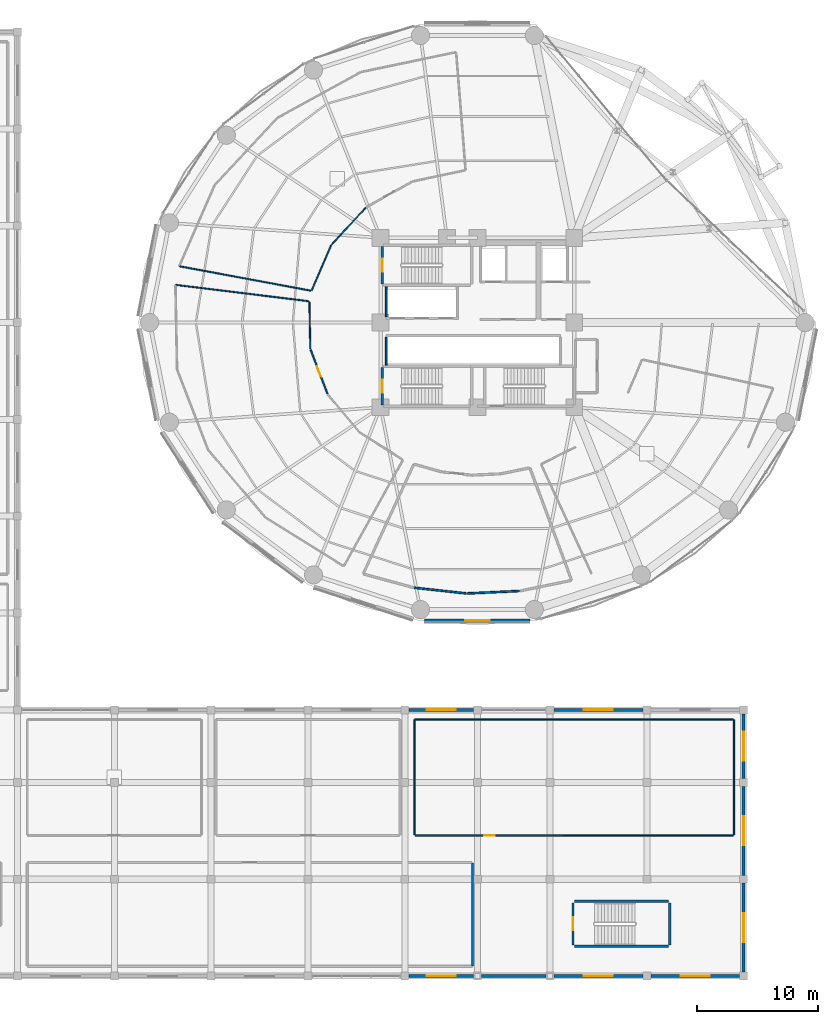
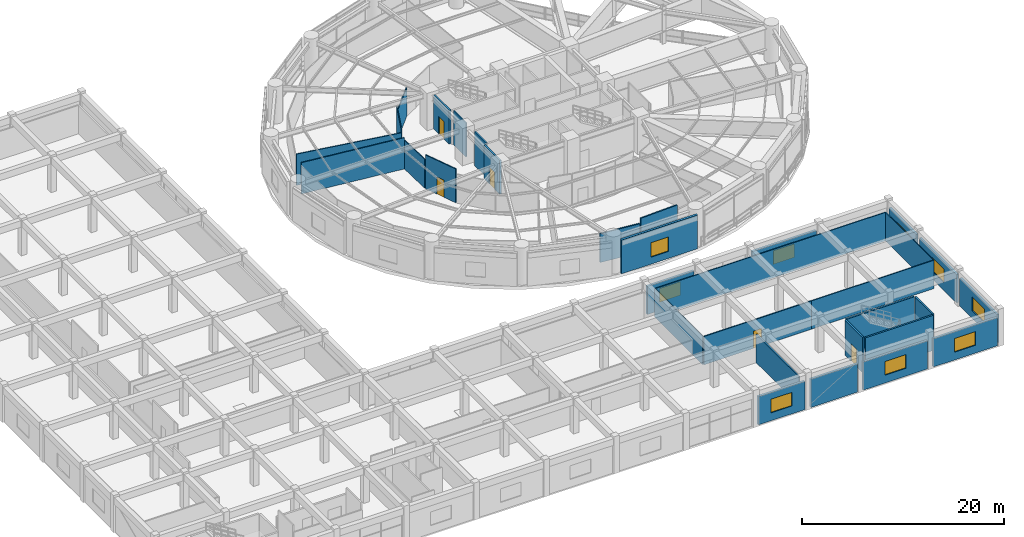
# One storey, part 41 of 52: 32 walls, 9 windows, 5 doors, 14 openings.
"""IFC4 building model written with IfcOpenShell, lengths in metres."""

from ifc_helpers import new_model, si_unit, direction, frame, frame_2d, origin, place, context, subcontext, project, spatial, rectangle, extrude, material, layer, layer_set, type_object, element, fill, save


model = new_model("IFC4")

# Units and contexts
model_context = context("Model", 3, precision=1e-05, world=origin(), true_north=direction((0.0, 1.0)))
body_context = subcontext(model_context, "Body", "Model", "MODEL_VIEW")
ifc_project = project(units=[si_unit("LENGTHUNIT", "METRE"), si_unit("AREAUNIT", "SQUARE_METRE"), si_unit("VOLUMEUNIT", "CUBIC_METRE"), si_unit("PLANEANGLEUNIT", "RADIAN"), si_unit("MASSUNIT", "GRAM", prefix="KILO")], contexts=[model_context])

# Site, building, storey
site_placement = place(None, origin())
site = spatial("IfcSite", under=ifc_project, at=site_placement, CompositionType="ELEMENT")
building_placement = place(site_placement, origin())
building = spatial("IfcBuilding", under=site, at=building_placement, Name="Kelanora Arch Commons", CompositionType="ELEMENT")
storey_placement = place(building_placement, frame((0.0, 0.0, 13.5)))
storey = spatial("IfcBuildingStorey", under=building, at=storey_placement, Name="L03", CompositionType="ELEMENT", Elevation=13.5)

# Walls
ifc_material_1 = material(Name="Autoclaved aerated concrete blockwork with fire plaster", Category="masonry")
ifc_layer_1 = layer(ifc_material_1, 0.14990234375)
ifc_layer_set_1 = layer_set([ifc_layer_1], Name="Autoclaved aerated concrete blockwork with fire plaster")
wall_type_1 = type_object("IfcWallType", Name="W-COMP-150", PredefinedType="PARTITIONING", material=ifc_layer_set_1)
wall_1_placement = place(storey_placement, frame((66.4599609375, 58.47998046875, 0.0), z_axis=(0.0, 0.0, 1.0), x_axis=(0.0, 1.0, 0.0)))
element("IfcWall", 1, at=wall_1_placement, inside=storey, type_object=wall_type_1, Name="Low-Rise Lift Bank West Wall L03", PredefinedType="PARTITIONING", context=body_context, shape_type="SweptSolid", body=[
    extrude(rectangle(XDim=2.4599609375, YDim=0.14990234375, at=frame_2d((1.22998046875, 0.0))), origin(), (0.0, 0.0, 1.0), 4.090087890625),
])
wall_2_placement = place(storey_placement, frame((66.4599609375, 54.47998046875, 0.0), z_axis=(0.0, 0.0, 1.0), x_axis=(0.0, 1.0, 0.0)))
element("IfcWall", 2, at=wall_2_placement, inside=storey, type_object=wall_type_1, Name="South Lift Bank West Wall L03", PredefinedType="PARTITIONING", context=body_context, shape_type="SweptSolid", body=[
    extrude(rectangle(XDim=2.2900390625, YDim=0.14990234375, at=frame_2d((1.14501953125, 0.0))), origin(), (0.0, 0.0, 1.0), 4.090087890625),
])
wall_3_placement = place(storey_placement, frame((73.60009765625, 4.840087890625, 0.0), z_axis=(0.0, 0.0, 1.0), x_axis=(0.0, 1.0, 0.0)))
element("IfcWall", 3, at=wall_3_placement, inside=storey, type_object=wall_type_1, Name="Market South Catering Cold Room and Store L03 Enclosure Partition 2", PredefinedType="PARTITIONING", context=body_context, shape_type="SweptSolid", body=[
    extrude(rectangle(XDim=8.5, YDim=0.14990234375, at=frame_2d((4.25, 0.0))), origin(), (0.0, 0.0, 1.0), 3.425048828125),
])
wall_4_placement = place(storey_placement, frame((77.467041015625, 35.816162109375, 0.0), z_axis=(0.0, 0.0, 1.0), x_axis=(-0.998921063896, -0.046440371493, 0.0)))
element("IfcWall", 4, at=wall_4_placement, inside=storey, type_object=wall_type_1, Name="Podium Catering Cold Store and Linen Room L03 Enclosure Partition 7", PredefinedType="PARTITIONING", context=body_context, shape_type="SweptSolid", body=[
    extrude(rectangle(XDim=4.310791015625, YDim=0.14990234375, at=frame_2d((2.1552734375, 0.0))), origin(), (0.0, 0.0, 1.0), 4.090087890625),
])
wall_5_placement = place(storey_placement, frame((73.081298828125, 35.618408203125, 0.0), z_axis=(0.0, 0.0, 1.0), x_axis=(-0.994118613874, 0.108296729168, 0.0)))
element("IfcWall", 5, at=wall_5_placement, inside=storey, type_object=wall_type_1, Name="Podium Catering Cold Store and Linen Room L03 Enclosure Partition 8", PredefinedType="PARTITIONING", context=body_context, shape_type="SweptSolid", body=[
    extrude(rectangle(XDim=4.305908203125, YDim=0.14990234375, at=frame_2d((2.15283203125, 0.0))), origin(), (0.0, 0.0, 1.0), 3.485107421875),
])

# Wall, opening, window
ifc_material_2 = material(Name="Precast concrete C40/50 with terracotta ceramic cladding", Category="masonry")
ifc_layer_2 = layer(ifc_material_2, 0.25)
ifc_layer_set_2 = layer_set([ifc_layer_2], Name="Precast concrete C40/50 with terracotta ceramic cladding")
wall_type_2 = type_object("IfcWallType", Name="W-EXT-MKT", PredefinedType="SOLIDWALL", material=ifc_layer_set_2)
wall_6_placement = place(storey_placement, frame((68.330078125, 4.0, 0.0), z_axis=(0.0, 0.0, 1.0), x_axis=(1.0, 0.0, 0.0)))
wall_6 = element("IfcWall", 6, at=wall_6_placement, inside=storey, type_object=wall_type_2, Name="Market Hall Exterior Wall L03-08", PredefinedType="SOLIDWALL", context=body_context, shape_type="SweptSolid", body=[
    extrude(rectangle(XDim=5.33984375, YDim=0.25, at=frame_2d((2.669921875, 0.0))), origin(), (0.0, 0.0, 1.0), 3.419921875),
])
opening_1_placement = place(wall_6_placement, frame((1.469970703125, 0.0, 0.949951171875)))
opening_1 = element("IfcOpeningElement", 7, at=opening_1_placement, cuts=wall_6, Name="Opening WN-03", PredefinedType="OPENING", context=body_context, shape_type="SweptSolid", body=[
    extrude(rectangle(XDim=2.39990234375, YDim=1.64990234375, at=frame_2d((1.199951171875, 0.824951171875))), frame((0.0, 0.135009765625, 0.0), z_axis=(0.0, -1.0, 0.0), x_axis=(1.0, 0.0, 0.0)), (0.0, 0.0, 1.0), 0.27001953125),
])
ifc_material_3 = material(Name="Bronze-terracotta aluminium monsoon clerestory window", Category="masonry")
window_type_1 = type_object("IfcWindowType", Name="WIN-MKT-24", PartitioningType="TRIPLE_PANEL_VERTICAL", PredefinedType="WINDOW", material=ifc_material_3)
window_1_placement = place(opening_1_placement, origin())
window_1 = element("IfcWindow", 8, at=window_1_placement, inside=storey, type_object=window_type_1, Name="Market Hall Clerestory Window L03-08", OverallHeight=1.64990234375, OverallWidth=2.39990234375, PartitioningType="SINGLE_PANEL", PredefinedType="WINDOW", context=body_context, shape_type="SweptSolid", body=[
    extrude(rectangle(XDim=2.39990234375, YDim=1.64990234375, at=frame_2d((1.199951171875, 0.824951171875))), frame((0.0, 0.030029296875, 0.0), z_axis=(0.0, -1.0, 0.0), x_axis=(1.0, 0.0, 0.0)), (0.0, 0.0, 1.0), 0.06005859375),
])
fill(opening_1, window_1)

# Wall
wall_7_placement = place(storey_placement, frame((74.330078125, 4.0, 0.0), z_axis=(0.0, 0.0, 1.0), x_axis=(1.0, 0.0, 0.0)))
element("IfcWall", 9, at=wall_7_placement, inside=storey, type_object=wall_type_2, Name="Market Hall Exterior Wall L03-09", PredefinedType="SOLIDWALL", context=body_context, shape_type="SweptSolid", body=[
    extrude(rectangle(XDim=5.33984375, YDim=0.25, at=frame_2d((2.669921875, 0.0))), origin(), (0.0, 0.0, 1.0), 3.419921875),
])

# Wall, opening, window
wall_8_placement = place(storey_placement, frame((80.330078125, 4.0, 0.0), z_axis=(0.0, 0.0, 1.0), x_axis=(1.0, 0.0, 0.0)))
wall_8 = element("IfcWall", 10, at=wall_8_placement, inside=storey, type_object=wall_type_2, Name="Market Hall Exterior Wall L03-10", PredefinedType="SOLIDWALL", context=body_context, shape_type="SweptSolid", body=[
    extrude(rectangle(XDim=7.33984375, YDim=0.25, at=frame_2d((3.669921875, 0.0))), origin(), (0.0, 0.0, 1.0), 3.419921875),
])
opening_2_placement = place(wall_8_placement, frame((2.469970703125, 0.0, 0.949951171875)))
opening_2 = element("IfcOpeningElement", 11, at=opening_2_placement, cuts=wall_8, Name="Opening WN-03", PredefinedType="OPENING", context=body_context, shape_type="SweptSolid", body=[
    extrude(rectangle(XDim=2.39990234375, YDim=1.64990234375, at=frame_2d((1.199951171875, 0.824951171875))), frame((0.0, 0.135009765625, 0.0), z_axis=(0.0, -1.0, 0.0), x_axis=(1.0, 0.0, 0.0)), (0.0, 0.0, 1.0), 0.27001953125),
])
window_2_placement = place(opening_2_placement, origin())
window_2 = element("IfcWindow", 12, at=window_2_placement, inside=storey, type_object=window_type_1, Name="Market Hall Clerestory Window L03-10", OverallHeight=1.64990234375, OverallWidth=2.39990234375, PartitioningType="SINGLE_PANEL", PredefinedType="WINDOW", context=body_context, shape_type="SweptSolid", body=[
    extrude(rectangle(XDim=2.39990234375, YDim=1.64990234375, at=frame_2d((1.199951171875, 0.824951171875))), frame((0.0, 0.030029296875, 0.0), z_axis=(0.0, -1.0, 0.0), x_axis=(1.0, 0.0, 0.0)), (0.0, 0.0, 1.0), 0.06005859375),
])
fill(opening_2, window_2)

wall_9_placement = place(storey_placement, frame((88.330078125, 4.0, 0.0), z_axis=(0.0, 0.0, 1.0), x_axis=(1.0, 0.0, 0.0)))
wall_9 = element("IfcWall", 13, at=wall_9_placement, inside=storey, type_object=wall_type_2, Name="Market Hall Exterior Wall L03-11", PredefinedType="SOLIDWALL", context=body_context, shape_type="SweptSolid", body=[
    extrude(rectangle(XDim=7.33984375, YDim=0.25, at=frame_2d((3.669921875, 0.0))), origin(), (0.0, 0.0, 1.0), 3.419921875),
])
opening_3_placement = place(wall_9_placement, frame((2.469970703125, 0.0, 0.949951171875)))
opening_3 = element("IfcOpeningElement", 14, at=opening_3_placement, cuts=wall_9, Name="Opening WN-03", PredefinedType="OPENING", context=body_context, shape_type="SweptSolid", body=[
    extrude(rectangle(XDim=2.39990234375, YDim=1.64990234375, at=frame_2d((1.199951171875, 0.824951171875))), frame((0.0, 0.135009765625, 0.0), z_axis=(0.0, -1.0, 0.0), x_axis=(1.0, 0.0, 0.0)), (0.0, 0.0, 1.0), 0.27001953125),
])
window_3_placement = place(opening_3_placement, origin())
window_3 = element("IfcWindow", 15, at=window_3_placement, inside=storey, type_object=window_type_1, Name="Market Hall Clerestory Window L03-11", OverallHeight=1.64990234375, OverallWidth=2.39990234375, PartitioningType="SINGLE_PANEL", PredefinedType="WINDOW", context=body_context, shape_type="SweptSolid", body=[
    extrude(rectangle(XDim=2.39990234375, YDim=1.64990234375, at=frame_2d((1.199951171875, 0.824951171875))), frame((0.0, 0.030029296875, 0.0), z_axis=(0.0, -1.0, 0.0), x_axis=(1.0, 0.0, 0.0)), (0.0, 0.0, 1.0), 0.06005859375),
])
fill(opening_3, window_3)

wall_10_placement = place(storey_placement, frame((96.0, 4.330078125, 0.0), z_axis=(0.0, 0.0, 1.0), x_axis=(0.0, 1.0, 0.0)))
wall_10 = element("IfcWall", 16, at=wall_10_placement, inside=storey, type_object=wall_type_2, Name="Market Hall Exterior Wall L03-12", PredefinedType="SOLIDWALL", context=body_context, shape_type="SweptSolid", body=[
    extrude(rectangle(XDim=7.33984375, YDim=0.25, at=frame_2d((3.669921875, 0.0))), origin(), (0.0, 0.0, 1.0), 3.419921875),
])
opening_4_placement = place(wall_10_placement, frame((2.469970703125, 0.0, 0.949951171875)))
opening_4 = element("IfcOpeningElement", 17, at=opening_4_placement, cuts=wall_10, Name="Opening WN-03", PredefinedType="OPENING", context=body_context, shape_type="SweptSolid", body=[
    extrude(rectangle(XDim=2.39990234375, YDim=1.64990234375, at=frame_2d((1.199951171875, 0.824951171875))), frame((0.0, 0.135009765625, 0.0), z_axis=(0.0, -1.0, 0.0), x_axis=(1.0, 0.0, 0.0)), (0.0, 0.0, 1.0), 0.27001953125),
])
window_4_placement = place(opening_4_placement, origin())
window_4 = element("IfcWindow", 18, at=window_4_placement, inside=storey, type_object=window_type_1, Name="Market Hall Clerestory Window L03-12", OverallHeight=1.64990234375, OverallWidth=2.39990234375, PartitioningType="SINGLE_PANEL", PredefinedType="WINDOW", context=body_context, shape_type="SweptSolid", body=[
    extrude(rectangle(XDim=2.39990234375, YDim=1.64990234375, at=frame_2d((1.199951171875, 0.824951171875))), frame((0.0, 0.030029296875, 0.0), z_axis=(0.0, -1.0, 0.0), x_axis=(1.0, 0.0, 0.0)), (0.0, 0.0, 1.0), 0.06005859375),
])
fill(opening_4, window_4)

wall_11_placement = place(storey_placement, frame((96.0, 12.330078125, 0.0), z_axis=(0.0, 0.0, 1.0), x_axis=(0.0, 1.0, 0.0)))
wall_11 = element("IfcWall", 19, at=wall_11_placement, inside=storey, type_object=wall_type_2, Name="Market Hall Exterior Wall L03-13", PredefinedType="SOLIDWALL", context=body_context, shape_type="SweptSolid", body=[
    extrude(rectangle(XDim=7.33984375, YDim=0.25, at=frame_2d((3.669921875, 0.0))), origin(), (0.0, 0.0, 1.0), 3.419921875),
])
opening_5_placement = place(wall_11_placement, frame((2.469970703125, 0.0, 0.949951171875)))
opening_5 = element("IfcOpeningElement", 20, at=opening_5_placement, cuts=wall_11, Name="Opening WN-03", PredefinedType="OPENING", context=body_context, shape_type="SweptSolid", body=[
    extrude(rectangle(XDim=2.39990234375, YDim=1.64990234375, at=frame_2d((1.199951171875, 0.824951171875))), frame((0.0, 0.135009765625, 0.0), z_axis=(0.0, -1.0, 0.0), x_axis=(1.0, 0.0, 0.0)), (0.0, 0.0, 1.0), 0.27001953125),
])
window_5_placement = place(opening_5_placement, origin())
window_5 = element("IfcWindow", 21, at=window_5_placement, inside=storey, type_object=window_type_1, Name="Market Hall Clerestory Window L03-13", OverallHeight=1.64990234375, OverallWidth=2.39990234375, PartitioningType="SINGLE_PANEL", PredefinedType="WINDOW", context=body_context, shape_type="SweptSolid", body=[
    extrude(rectangle(XDim=2.39990234375, YDim=1.64990234375, at=frame_2d((1.199951171875, 0.824951171875))), frame((0.0, 0.030029296875, 0.0), z_axis=(0.0, -1.0, 0.0), x_axis=(1.0, 0.0, 0.0)), (0.0, 0.0, 1.0), 0.06005859375),
])
fill(opening_5, window_5)

wall_12_placement = place(storey_placement, frame((96.0, 20.330078125, 0.0), z_axis=(0.0, 0.0, 1.0), x_axis=(0.0, 1.0, 0.0)))
wall_12 = element("IfcWall", 22, at=wall_12_placement, inside=storey, type_object=wall_type_2, Name="Market Hall Exterior Wall L03-14", PredefinedType="SOLIDWALL", context=body_context, shape_type="SweptSolid", body=[
    extrude(rectangle(XDim=5.33984375, YDim=0.25, at=frame_2d((2.669921875, 0.0))), origin(), (0.0, 0.0, 1.0), 3.419921875),
])
opening_6_placement = place(wall_12_placement, frame((1.469970703125, 0.0, 0.949951171875)))
opening_6 = element("IfcOpeningElement", 23, at=opening_6_placement, cuts=wall_12, Name="Opening WN-03", PredefinedType="OPENING", context=body_context, shape_type="SweptSolid", body=[
    extrude(rectangle(XDim=2.39990234375, YDim=1.64990234375, at=frame_2d((1.199951171875, 0.824951171875))), frame((0.0, 0.135009765625, 0.0), z_axis=(0.0, -1.0, 0.0), x_axis=(1.0, 0.0, 0.0)), (0.0, 0.0, 1.0), 0.27001953125),
])
window_6_placement = place(opening_6_placement, origin())
window_6 = element("IfcWindow", 24, at=window_6_placement, inside=storey, type_object=window_type_1, Name="Market Hall Clerestory Window L03-14", OverallHeight=1.64990234375, OverallWidth=2.39990234375, PartitioningType="SINGLE_PANEL", PredefinedType="WINDOW", context=body_context, shape_type="SweptSolid", body=[
    extrude(rectangle(XDim=2.39990234375, YDim=1.64990234375, at=frame_2d((1.199951171875, 0.824951171875))), frame((0.0, 0.030029296875, 0.0), z_axis=(0.0, -1.0, 0.0), x_axis=(1.0, 0.0, 0.0)), (0.0, 0.0, 1.0), 0.06005859375),
])
fill(opening_6, window_6)

wall_13_placement = place(storey_placement, frame((87.669921875, 26.0, 0.0), z_axis=(0.0, 0.0, 1.0), x_axis=(-1.0, 0.0, 0.0)))
wall_13 = element("IfcWall", 25, at=wall_13_placement, inside=storey, type_object=wall_type_2, Name="Market Hall Exterior Wall L03-16", PredefinedType="SOLIDWALL", context=body_context, shape_type="SweptSolid", body=[
    extrude(rectangle(XDim=7.33984375, YDim=0.25, at=frame_2d((3.669921875, 0.0))), origin(), (0.0, 0.0, 1.0), 3.419921875),
])
opening_7_placement = place(wall_13_placement, frame((2.469970703125, 0.0, 0.949951171875)))
opening_7 = element("IfcOpeningElement", 26, at=opening_7_placement, cuts=wall_13, Name="Opening WN-03", PredefinedType="OPENING", context=body_context, shape_type="SweptSolid", body=[
    extrude(rectangle(XDim=2.39990234375, YDim=1.64990234375, at=frame_2d((1.199951171875, 0.824951171875))), frame((0.0, 0.135009765625, 0.0), z_axis=(0.0, -1.0, 0.0), x_axis=(1.0, 0.0, 0.0)), (0.0, 0.0, 1.0), 0.27001953125),
])
window_7_placement = place(opening_7_placement, origin())
window_7 = element("IfcWindow", 27, at=window_7_placement, inside=storey, type_object=window_type_1, Name="Market Hall Clerestory Window L03-16", OverallHeight=1.64990234375, OverallWidth=2.39990234375, PartitioningType="SINGLE_PANEL", PredefinedType="WINDOW", context=body_context, shape_type="SweptSolid", body=[
    extrude(rectangle(XDim=2.39990234375, YDim=1.64990234375, at=frame_2d((1.199951171875, 0.824951171875))), frame((0.0, 0.030029296875, 0.0), z_axis=(0.0, -1.0, 0.0), x_axis=(1.0, 0.0, 0.0)), (0.0, 0.0, 1.0), 0.06005859375),
])
fill(opening_7, window_7)

wall_14_placement = place(storey_placement, frame((73.669921875, 26.0, 0.0), z_axis=(0.0, 0.0, 1.0), x_axis=(-1.0, 0.0, 0.0)))
wall_14 = element("IfcWall", 28, at=wall_14_placement, inside=storey, type_object=wall_type_2, Name="Market Hall Exterior Wall L03-18", PredefinedType="SOLIDWALL", context=body_context, shape_type="SweptSolid", body=[
    extrude(rectangle(XDim=5.33984375, YDim=0.25, at=frame_2d((2.669921875, 0.0))), origin(), (0.0, 0.0, 1.0), 3.419921875),
])
opening_8_placement = place(wall_14_placement, frame((1.469970703125, 0.0, 0.949951171875)))
opening_8 = element("IfcOpeningElement", 29, at=opening_8_placement, cuts=wall_14, Name="Opening WN-03", PredefinedType="OPENING", context=body_context, shape_type="SweptSolid", body=[
    extrude(rectangle(XDim=2.39990234375, YDim=1.64990234375, at=frame_2d((1.199951171875, 0.824951171875))), frame((0.0, 0.135009765625, 0.0), z_axis=(0.0, -1.0, 0.0), x_axis=(1.0, 0.0, 0.0)), (0.0, 0.0, 1.0), 0.27001953125),
])
window_8_placement = place(opening_8_placement, origin())
window_8 = element("IfcWindow", 30, at=window_8_placement, inside=storey, type_object=window_type_1, Name="Market Hall Clerestory Window L03-18", OverallHeight=1.64990234375, OverallWidth=2.39990234375, PartitioningType="SINGLE_PANEL", PredefinedType="WINDOW", context=body_context, shape_type="SweptSolid", body=[
    extrude(rectangle(XDim=2.39990234375, YDim=1.64990234375, at=frame_2d((1.199951171875, 0.824951171875))), frame((0.0, 0.030029296875, 0.0), z_axis=(0.0, -1.0, 0.0), x_axis=(1.0, 0.0, 0.0)), (0.0, 0.0, 1.0), 0.06005859375),
])
fill(opening_8, window_8)

ifc_material_4 = material(Name="Precast concrete C40/50 with terracotta rainscreen", Category="masonry")
ifc_layer_3 = layer(ifc_material_4, 0.260009765625)
ifc_layer_set_3 = layer_set([ifc_layer_3], Name="Precast concrete C40/50 with terracotta rainscreen")
wall_type_3 = type_object("IfcWallType", Name="W-EXT-TC", PredefinedType="SOLIDWALL", material=ifc_layer_set_3)
wall_15_placement = place(storey_placement, frame((69.64404296875, 33.3798828125, 0.0), z_axis=(0.0, 0.0, 1.0), x_axis=(1.0, 0.0, 0.0)))
wall_15 = element("IfcWall", 31, at=wall_15_placement, inside=storey, type_object=wall_type_3, Name="Terracotta Exterior Wall L03-B13", PredefinedType="SOLIDWALL", context=body_context, shape_type="SweptSolid", body=[
    extrude(rectangle(XDim=8.7119140625, YDim=0.260009765625, at=frame_2d((4.35595703125, 0.0))), origin(), (0.0, 0.0, 1.0), 4.0849609375),
])
opening_9_placement = place(wall_15_placement, frame((3.35595703125, 0.0, 0.85009765625)))
opening_9 = element("IfcOpeningElement", 32, at=opening_9_placement, cuts=wall_15, Name="Opening WN-05", PredefinedType="OPENING", context=body_context, shape_type="SweptSolid", body=[
    extrude(rectangle(XDim=2.0, YDim=1.75, at=frame_2d((1.0, 0.875))), frame((0.0, 0.14013671875, 0.0), z_axis=(0.0, -1.0, 0.0), x_axis=(1.0, 0.0, 0.0)), (0.0, 0.0, 1.0), 0.280029296875),
])
ifc_material_5 = material(Name="Terracotta-anodised aluminium podium window", Category="masonry")
window_type_2 = type_object("IfcWindowType", Name="WIN-POD-20", PartitioningType="TRIPLE_PANEL_VERTICAL", PredefinedType="WINDOW", material=ifc_material_5)
window_9_placement = place(opening_9_placement, origin())
window_9 = element("IfcWindow", 33, at=window_9_placement, inside=storey, type_object=window_type_2, Name="Podium Window L03-B13", OverallHeight=1.75, OverallWidth=2.0, PartitioningType="SINGLE_PANEL", PredefinedType="WINDOW", context=body_context, shape_type="SweptSolid", body=[
    extrude(rectangle(XDim=2.0, YDim=1.75, at=frame_2d((1.0, 0.875))), frame((0.0, 0.030029296875, 0.0), z_axis=(0.0, -1.0, 0.0), x_axis=(1.0, 0.0, 0.0)), (0.0, 0.0, 1.0), 0.06005859375),
])
fill(opening_9, window_9)

# Walls
ifc_material_6 = material(Name="Lightweight fire-rated acoustic stud partition")
ifc_layer_4 = layer(ifc_material_6, 0.10009765625)
ifc_layer_set_4 = layer_set([ifc_layer_4], Name="Lightweight fire-rated acoustic stud partition")
wall_type_4 = type_object("IfcWallType", Name="W-PART-100", PredefinedType="PARTITIONING", material=ifc_layer_set_4)
wall_16_placement = place(storey_placement, frame((81.139892578125, 15.6201171875, 0.0), z_axis=(0.0, 0.0, 1.0), x_axis=(1.0, 0.0, 0.0)))
element("IfcWall", 34, at=wall_16_placement, inside=storey, type_object=wall_type_4, Name="Market Cooperative Training Office L03 Enclosure Partition 1", PredefinedType="PARTITIONING", context=body_context, shape_type="SweptSolid", body=[
    extrude(rectangle(XDim=14.02001953125, YDim=0.10009765625, at=frame_2d((7.010009765625, 0.0))), origin(), (0.0, 0.0, 1.0), 3.425048828125),
])
wall_17_placement = place(storey_placement, frame((95.199951171875, 15.659912109375, 0.0), z_axis=(0.0, 0.0, 1.0), x_axis=(0.0, 1.0, 0.0)))
element("IfcWall", 35, at=wall_17_placement, inside=storey, type_object=wall_type_4, Name="Market Cooperative Training Office L03 Enclosure Partition 2", PredefinedType="PARTITIONING", context=body_context, shape_type="SweptSolid", body=[
    extrude(rectangle(XDim=9.5, YDim=0.10009765625, at=frame_2d((4.75, 0.0))), origin(), (0.0, 0.0, 1.0), 3.425048828125),
])
wall_18_placement = place(storey_placement, frame((95.159912109375, 25.199951171875, 0.0), z_axis=(0.0, 0.0, 1.0), x_axis=(-1.0, 0.0, 0.0)))
element("IfcWall", 36, at=wall_18_placement, inside=storey, type_object=wall_type_4, Name="Market Cooperative Training Office L03 Enclosure Partition 3", PredefinedType="PARTITIONING", context=body_context, shape_type="SweptSolid", body=[
    extrude(rectangle(XDim=26.31982421875, YDim=0.10009765625, at=frame_2d((13.159912109375, 0.0))), origin(), (0.0, 0.0, 1.0), 3.425048828125),
])
wall_19_placement = place(storey_placement, frame((68.800048828125, 25.159912109375, 0.0), z_axis=(0.0, 0.0, 1.0), x_axis=(0.0, -1.0, 0.0)))
element("IfcWall", 37, at=wall_19_placement, inside=storey, type_object=wall_type_4, Name="Market Cooperative Training Office L03 Enclosure Partition 4", PredefinedType="PARTITIONING", context=body_context, shape_type="SweptSolid", body=[
    extrude(rectangle(XDim=9.5, YDim=0.10009765625, at=frame_2d((4.75, 0.0))), origin(), (0.0, 0.0, 1.0), 3.425048828125),
])
wall_20_placement = place(storey_placement, frame((64.77490234375, 67.49462890625, 0.0), z_axis=(0.0, 0.0, 1.0), x_axis=(-0.678666938136, -0.734446177116, 0.0)))
element("IfcWall", 38, at=wall_20_placement, inside=storey, type_object=wall_type_4, Name="Shared Student Study Commons L03-B Enclosure Partition 3", PredefinedType="PARTITIONING", context=body_context, shape_type="SweptSolid", body=[
    extrude(rectangle(XDim=4.166748046875, YDim=0.10009765625, at=frame_2d((2.08349609375, 0.0))), origin(), (0.0, 0.0, 1.0), 3.485107421875),
])
wall_21_placement = place(storey_placement, frame((61.904052734375, 64.368408203125, 0.0), z_axis=(0.0, 0.0, 1.0), x_axis=(-0.396638629538, -0.917974834927, 0.0)))
element("IfcWall", 39, at=wall_21_placement, inside=storey, type_object=wall_type_4, Name="Shared Student Study Commons L03-B Enclosure Partition 4", PredefinedType="PARTITIONING", context=body_context, shape_type="SweptSolid", body=[
    extrude(rectangle(XDim=4.0390625, YDim=0.10009765625, at=frame_2d((2.01953125, 0.0))), origin(), (0.0, 0.0, 1.0), 4.090087890625),
])
wall_22_placement = place(storey_placement, frame((60.24658203125, 60.63134765625, 0.0), z_axis=(0.0, 0.0, 1.0), x_axis=(-0.98315361887, 0.18278118531, 0.0)))
element("IfcWall", 40, at=wall_22_placement, inside=storey, type_object=wall_type_4, Name="Shared Student Study Commons L03-B Enclosure Partition 5", PredefinedType="PARTITIONING", context=body_context, shape_type="SweptSolid", body=[
    extrude(rectangle(XDim=11.042236328125, YDim=0.10009765625, at=frame_2d((5.52099609375, 0.0))), origin(), (0.0, 0.0, 1.0), 3.784912109375),
])
wall_23_placement = place(storey_placement, frame((60.11669921875, 59.716064453125, 0.0), z_axis=(0.0, 0.0, 1.0), x_axis=(0.01950509597, -0.999809757519, 0.0)))
element("IfcWall", 41, at=wall_23_placement, inside=storey, type_object=wall_type_4, Name="Student Laundromat and Fitness Studio L03-C Enclosure Partition 1", PredefinedType="PARTITIONING", context=body_context, shape_type="SweptSolid", body=[
    extrude(rectangle(XDim=3.86767578125, YDim=0.10009765625, at=frame_2d((1.933837890625, 0.0))), origin(), (0.0, 0.0, 1.0), 3.485107421875),
])
wall_24_placement = place(storey_placement, frame((49.084716796875, 61.112060546875, 0.0), z_axis=(0.0, 0.0, 1.0), x_axis=(0.992530160612, -0.121999509325, 0.0)))
element("IfcWall", 42, at=wall_24_placement, inside=storey, type_object=wall_type_4, Name="Student Laundromat and Fitness Studio L03-C Enclosure Partition 10", PredefinedType="PARTITIONING", context=body_context, shape_type="SweptSolid", body=[
    extrude(rectangle(XDim=11.074462890625, YDim=0.10009765625, at=frame_2d((5.537109375, 0.0))), origin(), (0.0, 0.0, 1.0), 3.784912109375),
])

# Wall, opening, door
ifc_material_7 = material(Name="Acoustic twin-stud fire-rated gypsum partition")
ifc_layer_5 = layer(ifc_material_7, 0.1201171875)
ifc_layer_set_5 = layer_set([ifc_layer_5], Name="Acoustic twin-stud fire-rated gypsum partition")
wall_type_5 = type_object("IfcWallType", Name="W-PART-120", PredefinedType="PARTITIONING", material=ifc_layer_set_5)
wall_25_placement = place(storey_placement, frame((68.860107421875, 15.6201171875, 0.0), z_axis=(0.0, 0.0, 1.0), x_axis=(1.0, 0.0, 0.0)))
wall_25 = element("IfcWall", 43, at=wall_25_placement, inside=storey, type_object=wall_type_5, Name="Market Cooperative Training Office L03 Entry Partition", PredefinedType="PARTITIONING", context=body_context, shape_type="SweptSolid", body=[
    extrude(rectangle(XDim=12.27978515625, YDim=0.1201171875, at=frame_2d((6.139892578125, 0.0))), origin(), (0.0, 0.0, 1.0), 3.425048828125),
])
opening_10_placement = place(wall_25_placement, frame((5.68994140625, 0.0, 0.0)))
opening_10 = element("IfcOpeningElement", 44, at=opening_10_placement, cuts=wall_25, Name="Opening D-RM1", PredefinedType="OPENING", context=body_context, shape_type="SweptSolid", body=[
    extrude(rectangle(XDim=0.89990234375, YDim=2.080078125, at=frame_2d((0.449951171875, 1.0400390625))), frame((0.0, 0.070068359375, 0.0), z_axis=(0.0, -1.0, 0.0), x_axis=(1.0, 0.0, 0.0)), (0.0, 0.0, 1.0), 0.14013671875),
])
ifc_material_8 = material(Name="Acoustic fire-rated timber study and lounge door", Category="wood")
door_type_1 = type_object("IfcDoorType", Name="D-ROOM-90", OperationType="NOTDEFINED", PredefinedType="DOOR", material=ifc_material_8)
door_1_placement = place(opening_10_placement, origin())
door_1 = element("IfcDoor", 45, at=door_1_placement, inside=storey, type_object=door_type_1, Name="Market Cooperative Training Office L03 Door", OperationType="SINGLE_SWING_RIGHT", OverallHeight=2.080078125, OverallWidth=0.89990234375, PredefinedType="DOOR", context=body_context, shape_type="SweptSolid", body=[
    extrude(rectangle(XDim=0.89990234375, YDim=2.080078125, at=frame_2d((0.449951171875, 1.0400390625))), frame((0.0, 0.02490234375, 0.0), z_axis=(0.0, -1.0, 0.0), x_axis=(1.0, 0.0, 0.0)), (0.0, 0.0, 1.0), 0.050048828125),
])
fill(opening_10, door_1)

wall_26_placement = place(storey_placement, frame((60.21435546875, 55.7529296875, 0.0), z_axis=(0.0, 0.0, 1.0), x_axis=(0.357236014767, -0.934014148583, 0.0)))
wall_26 = element("IfcWall", 46, at=wall_26_placement, inside=storey, type_object=wall_type_5, Name="Student Laundromat and Fitness Studio L03-C Entry Partition", PredefinedType="PARTITIONING", context=body_context, shape_type="SweptSolid", body=[
    extrude(rectangle(XDim=3.877685546875, YDim=0.1201171875, at=frame_2d((1.93896484375, 0.0))), origin(), (0.0, 0.0, 1.0), 4.090087890625),
])
opening_11_placement = place(wall_26_placement, frame((1.489013671875, 0.0, 0.0)))
opening_11 = element("IfcOpeningElement", 47, at=opening_11_placement, cuts=wall_26, Name="Opening D-RM1", PredefinedType="OPENING", context=body_context, shape_type="SweptSolid", body=[
    extrude(rectangle(XDim=0.89990234375, YDim=2.080078125, at=frame_2d((0.449951171875, 1.0400390625))), frame((0.0, 0.070068359375, 0.0), z_axis=(0.0, -1.0, 0.0), x_axis=(1.0, 0.0, 0.0)), (0.0, 0.0, 1.0), 0.14013671875),
])
door_2_placement = place(opening_11_placement, origin())
door_2 = element("IfcDoor", 48, at=door_2_placement, inside=storey, type_object=door_type_1, Name="Student Laundromat and Fitness Studio L03-C Door", OperationType="SINGLE_SWING_LEFT", OverallHeight=2.080078125, OverallWidth=0.89990234375, PredefinedType="DOOR", context=body_context, shape_type="SweptSolid", body=[
    extrude(rectangle(XDim=0.89990234375, YDim=2.080078125, at=frame_2d((0.449951171875, 1.0400390625))), frame((0.0, 0.02490234375, 0.0), z_axis=(0.0, -1.0, 0.0), x_axis=(1.0, 0.0, 0.0)), (0.0, 0.0, 1.0), 0.050048828125),
])
fill(opening_11, door_2)

ifc_material_9 = material(Name="Concrete C40/50", Category="concrete")
ifc_layer_6 = layer(ifc_material_9, 0.199951171875)
ifc_layer_set_6 = layer_set([ifc_layer_6], Name="Concrete C40/50")
wall_type_6 = type_object("IfcWallType", Name="W-STAIR-200", PredefinedType="SHEAR", material=ifc_layer_set_6)
wall_27_placement = place(storey_placement, frame((66.139892578125, 64.27001953125, 0.0), z_axis=(0.0, 0.0, 1.0), x_axis=(0.0, -1.0, 0.0)))
wall_27 = element("IfcWall", 49, at=wall_27_placement, inside=storey, type_object=wall_type_6, Name="Stair ST-T1 Shaft Wall W L03", PredefinedType="SHEAR", context=body_context, shape_type="SweptSolid", body=[
    extrude(rectangle(XDim=3.070068359375, YDim=0.199951171875, at=frame_2d((1.53515625, 0.0))), origin(), (0.0, 0.0, 1.0), 4.10009765625),
])
opening_12_placement = place(wall_27_placement, frame((1.010009765625, 0.0, 0.0)))
opening_12 = element("IfcOpeningElement", 50, at=opening_12_placement, cuts=wall_27, Name="Opening D-ST1", PredefinedType="OPENING", context=body_context, shape_type="SweptSolid", body=[
    extrude(rectangle(XDim=1.050048828125, YDim=2.10009765625, at=frame_2d((0.52490234375, 1.050048828125))), frame((0.0, 0.10986328125, 0.0), z_axis=(0.0, -1.0, 0.0), x_axis=(1.0, 0.0, 0.0)), (0.0, 0.0, 1.0), 0.219970703125),
])
ifc_material_10 = material(Name="Steel fire-rated stairwell escape door", Category="steel")
door_type_2 = type_object("IfcDoorType", Name="D-STAIR-110", OperationType="NOTDEFINED", PredefinedType="DOOR", material=ifc_material_10)
door_3_placement = place(opening_12_placement, origin())
door_3 = element("IfcDoor", 51, at=door_3_placement, inside=storey, type_object=door_type_2, Name="Stair ST-T1 Escape Door L03", OperationType="SINGLE_SWING_LEFT", OverallHeight=2.10009765625, OverallWidth=1.050048828125, PredefinedType="DOOR", context=body_context, shape_type="SweptSolid", body=[
    extrude(rectangle(XDim=1.050048828125, YDim=2.10009765625, at=frame_2d((0.52490234375, 1.050048828125))), frame((0.0, 0.02490234375, 0.0), z_axis=(0.0, -1.0, 0.0), x_axis=(1.0, 0.0, 0.0)), (0.0, 0.0, 1.0), 0.050048828125),
])
fill(opening_12, door_3)

wall_28_placement = place(storey_placement, frame((66.139892578125, 54.27001953125, 0.0), z_axis=(0.0, 0.0, 1.0), x_axis=(0.0, -1.0, 0.0)))
wall_28 = element("IfcWall", 52, at=wall_28_placement, inside=storey, type_object=wall_type_6, Name="Stair ST-T3 Shaft Wall W L03", PredefinedType="SHEAR", context=body_context, shape_type="SweptSolid", body=[
    extrude(rectangle(XDim=3.070068359375, YDim=0.199951171875, at=frame_2d((1.53515625, 0.0))), origin(), (0.0, 0.0, 1.0), 4.10009765625),
])
opening_13_placement = place(wall_28_placement, frame((1.010009765625, 0.0, 0.0)))
opening_13 = element("IfcOpeningElement", 53, at=opening_13_placement, cuts=wall_28, Name="Opening D-ST1", PredefinedType="OPENING", context=body_context, shape_type="SweptSolid", body=[
    extrude(rectangle(XDim=1.050048828125, YDim=2.10009765625, at=frame_2d((0.52490234375, 1.050048828125))), frame((0.0, 0.10986328125, 0.0), z_axis=(0.0, -1.0, 0.0), x_axis=(1.0, 0.0, 0.0)), (0.0, 0.0, 1.0), 0.219970703125),
])
door_4_placement = place(opening_13_placement, origin())
door_4 = element("IfcDoor", 54, at=door_4_placement, inside=storey, type_object=door_type_2, Name="Stair ST-T3 Escape Door L03", OperationType="SINGLE_SWING_LEFT", OverallHeight=2.10009765625, OverallWidth=1.050048828125, PredefinedType="DOOR", context=body_context, shape_type="SweptSolid", body=[
    extrude(rectangle(XDim=1.050048828125, YDim=2.10009765625, at=frame_2d((0.52490234375, 1.050048828125))), frame((0.0, 0.02490234375, 0.0), z_axis=(0.0, -1.0, 0.0), x_axis=(1.0, 0.0, 0.0)), (0.0, 0.0, 1.0), 0.050048828125),
])
fill(opening_13, door_4)

# Walls
wall_29_placement = place(storey_placement, frame((82.02001953125, 6.4599609375, 0.0), z_axis=(0.0, 0.0, 1.0), x_axis=(1.0, 0.0, 0.0)))
element("IfcWall", 55, at=wall_29_placement, inside=storey, type_object=wall_type_6, Name="Stair ST-M2 Shaft Wall S L03", PredefinedType="SHEAR", context=body_context, shape_type="SweptSolid", body=[
    extrude(rectangle(XDim=7.760009765625, YDim=0.199951171875, at=frame_2d((3.8798828125, 0.0))), origin(), (0.0, 0.0, 1.0), 4.239990234375),
])
wall_30_placement = place(storey_placement, frame((89.89990234375, 6.580078125, 0.0), z_axis=(0.0, 0.0, 1.0), x_axis=(0.0, 1.0, 0.0)))
element("IfcWall", 56, at=wall_30_placement, inside=storey, type_object=wall_type_6, Name="Stair ST-M2 Shaft Wall E L03", PredefinedType="SHEAR", context=body_context, shape_type="SweptSolid", body=[
    extrude(rectangle(XDim=3.469970703125, YDim=0.199951171875, at=frame_2d((1.73486328125, 0.0))), origin(), (0.0, 0.0, 1.0), 4.239990234375),
])
wall_31_placement = place(storey_placement, frame((89.780029296875, 10.169921875, 0.0), z_axis=(0.0, 0.0, 1.0), x_axis=(-1.0, 0.0, 0.0)))
element("IfcWall", 57, at=wall_31_placement, inside=storey, type_object=wall_type_6, Name="Stair ST-M2 Shaft Wall N L03", PredefinedType="SHEAR", context=body_context, shape_type="SweptSolid", body=[
    extrude(rectangle(XDim=7.760009765625, YDim=0.199951171875, at=frame_2d((3.8798828125, 0.0))), origin(), (0.0, 0.0, 1.0), 4.239990234375),
])

# Wall, opening, door
wall_32_placement = place(storey_placement, frame((81.89990234375, 10.050048828125, 0.0), z_axis=(0.0, 0.0, 1.0), x_axis=(0.0, -1.0, 0.0)))
wall_32 = element("IfcWall", 58, at=wall_32_placement, inside=storey, type_object=wall_type_6, Name="Stair ST-M2 Shaft Wall W L03", PredefinedType="SHEAR", context=body_context, shape_type="SweptSolid", body=[
    extrude(rectangle(XDim=3.469970703125, YDim=0.199951171875, at=frame_2d((1.73486328125, 0.0))), origin(), (0.0, 0.0, 1.0), 4.239990234375),
])
opening_14_placement = place(wall_32_placement, frame((1.2099609375, 0.0, 0.0)))
opening_14 = element("IfcOpeningElement", 59, at=opening_14_placement, cuts=wall_32, Name="Opening D-ST1", PredefinedType="OPENING", context=body_context, shape_type="SweptSolid", body=[
    extrude(rectangle(XDim=1.050048828125, YDim=2.10009765625, at=frame_2d((0.52490234375, 1.050048828125))), frame((0.0, 0.10986328125, 0.0), z_axis=(0.0, -1.0, 0.0), x_axis=(1.0, 0.0, 0.0)), (0.0, 0.0, 1.0), 0.219970703125),
])
door_5_placement = place(opening_14_placement, origin())
door_5 = element("IfcDoor", 60, at=door_5_placement, inside=storey, type_object=door_type_2, Name="Stair ST-M2 Escape Door L03", OperationType="SINGLE_SWING_LEFT", OverallHeight=2.10009765625, OverallWidth=1.050048828125, PredefinedType="DOOR", context=body_context, shape_type="SweptSolid", body=[
    extrude(rectangle(XDim=1.050048828125, YDim=2.10009765625, at=frame_2d((0.52490234375, 1.050048828125))), frame((0.0, 0.02490234375, 0.0), z_axis=(0.0, -1.0, 0.0), x_axis=(1.0, 0.0, 0.0)), (0.0, 0.0, 1.0), 0.050048828125),
])
fill(opening_14, door_5)

save(model, "model.ifc")
